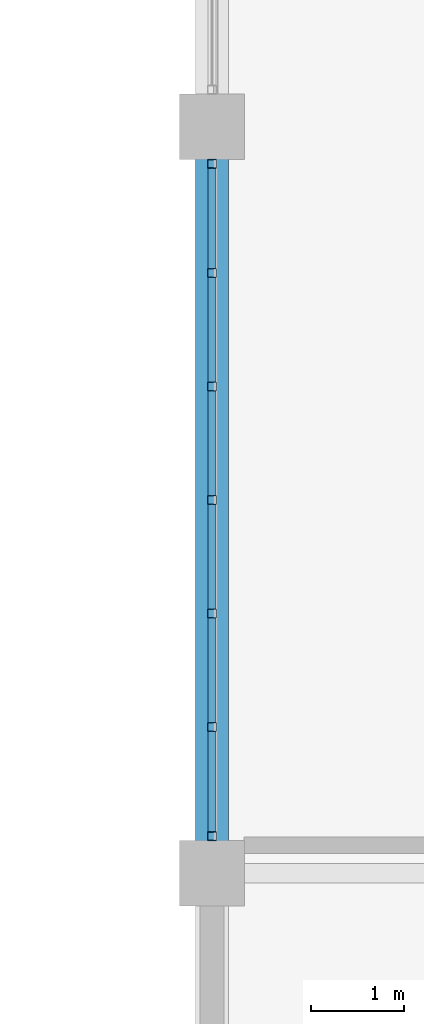
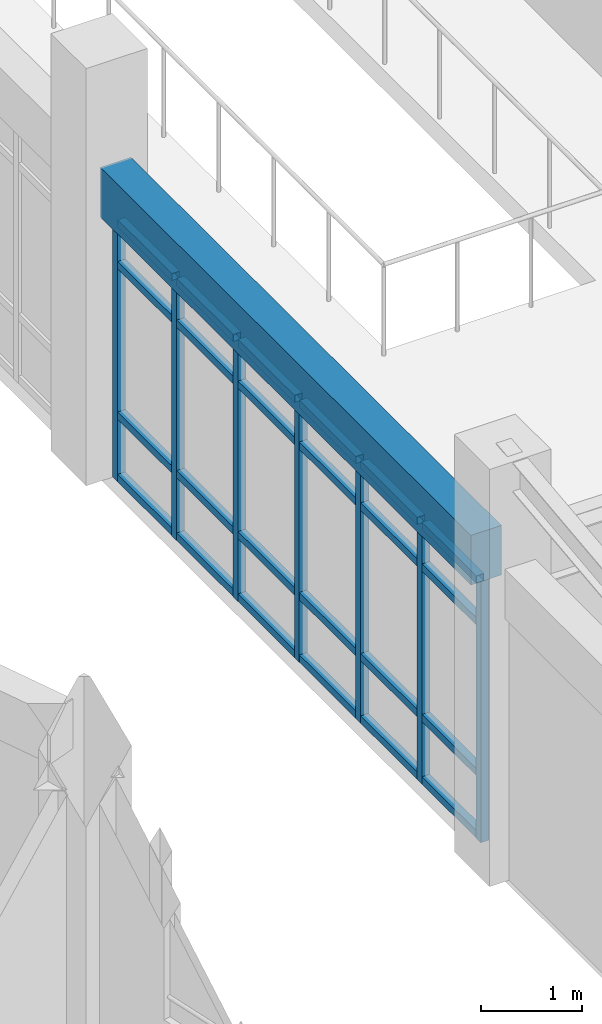
# One storey, part 91 of 159: 31 members, 1 beam, 1 element without a shape of its own.
"""IFC4 building model written with IfcOpenShell, lengths in metres."""

from ifc_helpers import new_model, si_unit, direction, frame, origin, origin_2d, place, context, subcontext, project, spatial, rectangle, hollow_rectangle, extrude, material, material_profile, profile_set, type_object, element, aggregate, save


model = new_model("IFC4")

# Units and contexts
model_context = context("Model", 3, precision=1e-05, world=origin(), true_north=direction((0.0, 1.0)))
body_context = subcontext(model_context, "Body", "Model", "MODEL_VIEW")
ifc_project = project(units=[si_unit("LENGTHUNIT", "METRE"), si_unit("AREAUNIT", "SQUARE_METRE"), si_unit("VOLUMEUNIT", "CUBIC_METRE"), si_unit("PLANEANGLEUNIT", "RADIAN"), si_unit("MASSUNIT", "GRAM", prefix="KILO")], contexts=[model_context])

# Site, building, storey
site_placement = place(None, origin())
site = spatial("IfcSite", under=ifc_project, at=site_placement, CompositionType="ELEMENT")
building_placement = place(site_placement, origin())
building = spatial("IfcBuilding", under=site, at=building_placement, Name="Celadon Cloister-Ring School", CompositionType="ELEMENT")
storey_placement = place(building_placement, frame((0.0, 0.0, 4.5)))
storey = spatial("IfcBuildingStorey", under=building, at=storey_placement, Name="L01", CompositionType="ELEMENT", Elevation=4.5)

# Beam
ifc_material_1 = material(Name="Concrete C35/45", Category="concrete")
ifc_material_profile_1 = material_profile(ifc_material_1, rectangle(XDim=0.35009765625, YDim=0.60009765625, at=origin_2d()), Name="RC350X600")
ifc_profile_set_1 = profile_set([ifc_material_profile_1], Name="Concrete C35/45")
beam_type = type_object("IfcBeamType", Name="BT-02", PredefinedType="BEAM", material=ifc_profile_set_1)
beam_placement = place(storey_placement, frame((142.0, 74.324951171875, 3.47998046875), z_axis=(0.0, 1.0, 0.0), x_axis=(-1.0, 0.0, 0.0)))
element("IfcBeam", 1, at=beam_placement, inside=storey, type_object=beam_type, Name="Beam 1169", PredefinedType="BEAM", context=body_context, shape_type="SweptSolid", body=[
    extrude(rectangle(XDim=0.35009765625, YDim=0.60009765625, at=origin_2d()), origin(), (0.0, 0.0, 1.0), 7.35009765625),
])

# Curtain wall, members
ifc_material_2 = material(Name="Aluminium EN AW-6063 T6", Category="aluminium")
curtain_wall_type = type_object("IfcCurtainWallType", Name="CW-09", PredefinedType="USERDEFINED", material=ifc_material_2)
curtain_wall_placement = place(storey_placement, origin())
curtain_wall = element("IfcCurtainWall", 2, at=curtain_wall_placement, inside=storey, type_object=curtain_wall_type, Name="Curtain Wall 0184", ObjectType="CURTAIN WALL", PredefinedType="USERDEFINED")
ifc_material_3 = material(Name="Aluminium EN AW-6063 T6", Category="aluminium")
ifc_material_profile_2 = material_profile(ifc_material_3, hollow_rectangle(XDim=0.094970703125, YDim=0.094970703125, WallThickness=0.00390625, at=origin_2d()), Name="RHS95X95X4")
ifc_profile_set_2 = profile_set([ifc_material_profile_2], Name="Aluminium EN AW-6063 T6")
member_type_1 = type_object("IfcMemberType", Name="CM-02", PredefinedType="MULLION", material=ifc_profile_set_2)
member_1_placement = place(storey_placement, frame((142.0, 74.3974609375, 0.0), z_axis=(0.0, 0.0, 1.0), x_axis=(-1.0, 0.0, 0.0)))
member_1 = element("IfcMember", 3, at=member_1_placement, type_object=member_type_1, Name="CW-09 mullion 1", PredefinedType="MULLION", context=body_context, shape_type="SweptSolid", body=[
    extrude(hollow_rectangle(XDim=0.094970703125, YDim=0.094970703125, WallThickness=0.00390625, at=origin_2d()), origin(), (0.0, 0.0, 1.0), 3.172119140625),
])
member_2_placement = place(storey_placement, frame((142.0, 75.566650390625, 0.0), z_axis=(0.0, 0.0, 1.0), x_axis=(-1.0, 0.0, 0.0)))
member_2 = element("IfcMember", 4, at=member_2_placement, type_object=member_type_1, Name="CW-09 mullion 2", PredefinedType="MULLION", context=body_context, shape_type="SweptSolid", body=[
    extrude(hollow_rectangle(XDim=0.094970703125, YDim=0.094970703125, WallThickness=0.00390625, at=origin_2d()), origin(), (0.0, 0.0, 1.0), 3.172119140625),
])
member_3_placement = place(storey_placement, frame((142.0, 76.783447265625, 0.0), z_axis=(0.0, 0.0, 1.0), x_axis=(-1.0, 0.0, 0.0)))
member_3 = element("IfcMember", 5, at=member_3_placement, type_object=member_type_1, Name="CW-09 mullion 3", PredefinedType="MULLION", context=body_context, shape_type="SweptSolid", body=[
    extrude(hollow_rectangle(XDim=0.094970703125, YDim=0.094970703125, WallThickness=0.00390625, at=origin_2d()), origin(), (0.0, 0.0, 1.0), 3.172119140625),
])
member_4_placement = place(storey_placement, frame((142.0, 78.0, 0.0), z_axis=(0.0, 0.0, 1.0), x_axis=(-1.0, 0.0, 0.0)))
member_4 = element("IfcMember", 6, at=member_4_placement, type_object=member_type_1, Name="CW-09 mullion 4", PredefinedType="MULLION", context=body_context, shape_type="SweptSolid", body=[
    extrude(hollow_rectangle(XDim=0.094970703125, YDim=0.094970703125, WallThickness=0.00390625, at=origin_2d()), origin(), (0.0, 0.0, 1.0), 3.172119140625),
])
member_5_placement = place(storey_placement, frame((142.0, 79.216552734375, 0.0), z_axis=(0.0, 0.0, 1.0), x_axis=(-1.0, 0.0, 0.0)))
member_5 = element("IfcMember", 7, at=member_5_placement, type_object=member_type_1, Name="CW-09 mullion 5", PredefinedType="MULLION", context=body_context, shape_type="SweptSolid", body=[
    extrude(hollow_rectangle(XDim=0.094970703125, YDim=0.094970703125, WallThickness=0.00390625, at=origin_2d()), origin(), (0.0, 0.0, 1.0), 3.172119140625),
])
member_6_placement = place(storey_placement, frame((142.0, 80.433349609375, 0.0), z_axis=(0.0, 0.0, 1.0), x_axis=(-1.0, 0.0, 0.0)))
member_6 = element("IfcMember", 8, at=member_6_placement, type_object=member_type_1, Name="CW-09 mullion 6", PredefinedType="MULLION", context=body_context, shape_type="SweptSolid", body=[
    extrude(hollow_rectangle(XDim=0.094970703125, YDim=0.094970703125, WallThickness=0.00390625, at=origin_2d()), origin(), (0.0, 0.0, 1.0), 3.172119140625),
])
member_7_placement = place(storey_placement, frame((142.0, 81.6025390625, 0.0), z_axis=(0.0, 0.0, 1.0), x_axis=(-1.0, 0.0, 0.0)))
member_7 = element("IfcMember", 9, at=member_7_placement, type_object=member_type_1, Name="CW-09 mullion 7", PredefinedType="MULLION", context=body_context, shape_type="SweptSolid", body=[
    extrude(hollow_rectangle(XDim=0.094970703125, YDim=0.094970703125, WallThickness=0.00390625, at=origin_2d()), origin(), (0.0, 0.0, 1.0), 3.172119140625),
])
ifc_material_4 = material(Name="Aluminium EN AW-6063 T6", Category="aluminium")
ifc_material_profile_3 = material_profile(ifc_material_4, hollow_rectangle(XDim=0.090087890625, YDim=0.090087890625, WallThickness=0.00390625, at=origin_2d()), Name="RHS90X90X4")
ifc_profile_set_3 = profile_set([ifc_material_profile_3], Name="Aluminium EN AW-6063 T6")
member_type_2 = type_object("IfcMemberType", Name="CTM-02", PredefinedType="USERDEFINED", material=ifc_profile_set_3)
member_8_placement = place(storey_placement, frame((142.0, 74.445068359375, 0.044921875), z_axis=(0.0, 1.0, 0.0), x_axis=(-1.0, 0.0, 0.0)))
member_8 = element("IfcMember", 10, at=member_8_placement, type_object=member_type_2, Name="CW-09 transom 1.1", ObjectType="TRANSOM", PredefinedType="USERDEFINED", context=body_context, shape_type="SweptSolid", body=[
    extrude(hollow_rectangle(XDim=0.090087890625, YDim=0.090087890625, WallThickness=0.00390625, at=origin_2d()), origin(), (0.0, 0.0, 1.0), 1.07421875),
])
member_9_placement = place(storey_placement, frame((142.0, 74.445068359375, 0.800048828125), z_axis=(0.0, 1.0, 0.0), x_axis=(-1.0, 0.0, 0.0)))
member_9 = element("IfcMember", 11, at=member_9_placement, type_object=member_type_2, Name="CW-09 transom 1.2", ObjectType="TRANSOM", PredefinedType="USERDEFINED", context=body_context, shape_type="SweptSolid", body=[
    extrude(hollow_rectangle(XDim=0.090087890625, YDim=0.090087890625, WallThickness=0.00390625, at=origin_2d()), origin(), (0.0, 0.0, 1.0), 1.07421875),
])
member_10_placement = place(storey_placement, frame((142.0, 74.445068359375, 2.6220703125), z_axis=(0.0, 1.0, 0.0), x_axis=(-1.0, 0.0, 0.0)))
member_10 = element("IfcMember", 12, at=member_10_placement, type_object=member_type_2, Name="CW-09 transom 1.3", ObjectType="TRANSOM", PredefinedType="USERDEFINED", context=body_context, shape_type="SweptSolid", body=[
    extrude(hollow_rectangle(XDim=0.090087890625, YDim=0.090087890625, WallThickness=0.00390625, at=origin_2d()), origin(), (0.0, 0.0, 1.0), 1.07421875),
])
member_11_placement = place(storey_placement, frame((142.0, 74.445068359375, 3.126953125), z_axis=(0.0, 1.0, 0.0), x_axis=(-1.0, 0.0, 0.0)))
member_11 = element("IfcMember", 13, at=member_11_placement, type_object=member_type_2, Name="CW-09 transom 1.4", ObjectType="TRANSOM", PredefinedType="USERDEFINED", context=body_context, shape_type="SweptSolid", body=[
    extrude(hollow_rectangle(XDim=0.090087890625, YDim=0.090087890625, WallThickness=0.00390625, at=origin_2d()), origin(), (0.0, 0.0, 1.0), 1.07421875),
])
member_12_placement = place(storey_placement, frame((142.0, 75.6142578125, 0.044921875), z_axis=(0.0, 1.0, 0.0), x_axis=(-1.0, 0.0, 0.0)))
member_12 = element("IfcMember", 14, at=member_12_placement, type_object=member_type_2, Name="CW-09 transom 2.1", ObjectType="TRANSOM", PredefinedType="USERDEFINED", context=body_context, shape_type="SweptSolid", body=[
    extrude(hollow_rectangle(XDim=0.090087890625, YDim=0.090087890625, WallThickness=0.00390625, at=origin_2d()), origin(), (0.0, 0.0, 1.0), 1.12158203125),
])
member_13_placement = place(storey_placement, frame((142.0, 75.6142578125, 0.800048828125), z_axis=(0.0, 1.0, 0.0), x_axis=(-1.0, 0.0, 0.0)))
member_13 = element("IfcMember", 15, at=member_13_placement, type_object=member_type_2, Name="CW-09 transom 2.2", ObjectType="TRANSOM", PredefinedType="USERDEFINED", context=body_context, shape_type="SweptSolid", body=[
    extrude(hollow_rectangle(XDim=0.090087890625, YDim=0.090087890625, WallThickness=0.00390625, at=origin_2d()), origin(), (0.0, 0.0, 1.0), 1.12158203125),
])
member_14_placement = place(storey_placement, frame((142.0, 75.6142578125, 2.6220703125), z_axis=(0.0, 1.0, 0.0), x_axis=(-1.0, 0.0, 0.0)))
member_14 = element("IfcMember", 16, at=member_14_placement, type_object=member_type_2, Name="CW-09 transom 2.3", ObjectType="TRANSOM", PredefinedType="USERDEFINED", context=body_context, shape_type="SweptSolid", body=[
    extrude(hollow_rectangle(XDim=0.090087890625, YDim=0.090087890625, WallThickness=0.00390625, at=origin_2d()), origin(), (0.0, 0.0, 1.0), 1.12158203125),
])
member_15_placement = place(storey_placement, frame((142.0, 75.6142578125, 3.126953125), z_axis=(0.0, 1.0, 0.0), x_axis=(-1.0, 0.0, 0.0)))
member_15 = element("IfcMember", 17, at=member_15_placement, type_object=member_type_2, Name="CW-09 transom 2.4", ObjectType="TRANSOM", PredefinedType="USERDEFINED", context=body_context, shape_type="SweptSolid", body=[
    extrude(hollow_rectangle(XDim=0.090087890625, YDim=0.090087890625, WallThickness=0.00390625, at=origin_2d()), origin(), (0.0, 0.0, 1.0), 1.12158203125),
])
member_16_placement = place(storey_placement, frame((142.0, 76.830810546875, 0.044921875), z_axis=(0.0, 1.0, 0.0), x_axis=(-1.0, 0.0, 0.0)))
member_16 = element("IfcMember", 18, at=member_16_placement, type_object=member_type_2, Name="CW-09 transom 3.1", ObjectType="TRANSOM", PredefinedType="USERDEFINED", context=body_context, shape_type="SweptSolid", body=[
    extrude(hollow_rectangle(XDim=0.090087890625, YDim=0.090087890625, WallThickness=0.00390625, at=origin_2d()), origin(), (0.0, 0.0, 1.0), 1.12158203125),
])
member_17_placement = place(storey_placement, frame((142.0, 76.830810546875, 0.800048828125), z_axis=(0.0, 1.0, 0.0), x_axis=(-1.0, 0.0, 0.0)))
member_17 = element("IfcMember", 19, at=member_17_placement, type_object=member_type_2, Name="CW-09 transom 3.2", ObjectType="TRANSOM", PredefinedType="USERDEFINED", context=body_context, shape_type="SweptSolid", body=[
    extrude(hollow_rectangle(XDim=0.090087890625, YDim=0.090087890625, WallThickness=0.00390625, at=origin_2d()), origin(), (0.0, 0.0, 1.0), 1.12158203125),
])
member_18_placement = place(storey_placement, frame((142.0, 76.830810546875, 2.6220703125), z_axis=(0.0, 1.0, 0.0), x_axis=(-1.0, 0.0, 0.0)))
member_18 = element("IfcMember", 20, at=member_18_placement, type_object=member_type_2, Name="CW-09 transom 3.3", ObjectType="TRANSOM", PredefinedType="USERDEFINED", context=body_context, shape_type="SweptSolid", body=[
    extrude(hollow_rectangle(XDim=0.090087890625, YDim=0.090087890625, WallThickness=0.00390625, at=origin_2d()), origin(), (0.0, 0.0, 1.0), 1.12158203125),
])
member_19_placement = place(storey_placement, frame((142.0, 76.830810546875, 3.126953125), z_axis=(0.0, 1.0, 0.0), x_axis=(-1.0, 0.0, 0.0)))
member_19 = element("IfcMember", 21, at=member_19_placement, type_object=member_type_2, Name="CW-09 transom 3.4", ObjectType="TRANSOM", PredefinedType="USERDEFINED", context=body_context, shape_type="SweptSolid", body=[
    extrude(hollow_rectangle(XDim=0.090087890625, YDim=0.090087890625, WallThickness=0.00390625, at=origin_2d()), origin(), (0.0, 0.0, 1.0), 1.12158203125),
])
member_20_placement = place(storey_placement, frame((142.0, 78.047607421875, 0.044921875), z_axis=(0.0, 1.0, 0.0), x_axis=(-1.0, 0.0, 0.0)))
member_20 = element("IfcMember", 22, at=member_20_placement, type_object=member_type_2, Name="CW-09 transom 4.1", ObjectType="TRANSOM", PredefinedType="USERDEFINED", context=body_context, shape_type="SweptSolid", body=[
    extrude(hollow_rectangle(XDim=0.090087890625, YDim=0.090087890625, WallThickness=0.00390625, at=origin_2d()), origin(), (0.0, 0.0, 1.0), 1.12158203125),
])
member_21_placement = place(storey_placement, frame((142.0, 78.047607421875, 0.800048828125), z_axis=(0.0, 1.0, 0.0), x_axis=(-1.0, 0.0, 0.0)))
member_21 = element("IfcMember", 23, at=member_21_placement, type_object=member_type_2, Name="CW-09 transom 4.2", ObjectType="TRANSOM", PredefinedType="USERDEFINED", context=body_context, shape_type="SweptSolid", body=[
    extrude(hollow_rectangle(XDim=0.090087890625, YDim=0.090087890625, WallThickness=0.00390625, at=origin_2d()), origin(), (0.0, 0.0, 1.0), 1.12158203125),
])
member_22_placement = place(storey_placement, frame((142.0, 78.047607421875, 2.6220703125), z_axis=(0.0, 1.0, 0.0), x_axis=(-1.0, 0.0, 0.0)))
member_22 = element("IfcMember", 24, at=member_22_placement, type_object=member_type_2, Name="CW-09 transom 4.3", ObjectType="TRANSOM", PredefinedType="USERDEFINED", context=body_context, shape_type="SweptSolid", body=[
    extrude(hollow_rectangle(XDim=0.090087890625, YDim=0.090087890625, WallThickness=0.00390625, at=origin_2d()), origin(), (0.0, 0.0, 1.0), 1.12158203125),
])
member_23_placement = place(storey_placement, frame((142.0, 78.047607421875, 3.126953125), z_axis=(0.0, 1.0, 0.0), x_axis=(-1.0, 0.0, 0.0)))
member_23 = element("IfcMember", 25, at=member_23_placement, type_object=member_type_2, Name="CW-09 transom 4.4", ObjectType="TRANSOM", PredefinedType="USERDEFINED", context=body_context, shape_type="SweptSolid", body=[
    extrude(hollow_rectangle(XDim=0.090087890625, YDim=0.090087890625, WallThickness=0.00390625, at=origin_2d()), origin(), (0.0, 0.0, 1.0), 1.12158203125),
])
member_24_placement = place(storey_placement, frame((142.0, 79.26416015625, 0.044921875), z_axis=(0.0, 1.0, 0.0), x_axis=(-1.0, 0.0, 0.0)))
member_24 = element("IfcMember", 26, at=member_24_placement, type_object=member_type_2, Name="CW-09 transom 5.1", ObjectType="TRANSOM", PredefinedType="USERDEFINED", context=body_context, shape_type="SweptSolid", body=[
    extrude(hollow_rectangle(XDim=0.090087890625, YDim=0.090087890625, WallThickness=0.00390625, at=origin_2d()), origin(), (0.0, 0.0, 1.0), 1.12158203125),
])
member_25_placement = place(storey_placement, frame((142.0, 79.26416015625, 0.800048828125), z_axis=(0.0, 1.0, 0.0), x_axis=(-1.0, 0.0, 0.0)))
member_25 = element("IfcMember", 27, at=member_25_placement, type_object=member_type_2, Name="CW-09 transom 5.2", ObjectType="TRANSOM", PredefinedType="USERDEFINED", context=body_context, shape_type="SweptSolid", body=[
    extrude(hollow_rectangle(XDim=0.090087890625, YDim=0.090087890625, WallThickness=0.00390625, at=origin_2d()), origin(), (0.0, 0.0, 1.0), 1.12158203125),
])
member_26_placement = place(storey_placement, frame((142.0, 79.26416015625, 2.6220703125), z_axis=(0.0, 1.0, 0.0), x_axis=(-1.0, 0.0, 0.0)))
member_26 = element("IfcMember", 28, at=member_26_placement, type_object=member_type_2, Name="CW-09 transom 5.3", ObjectType="TRANSOM", PredefinedType="USERDEFINED", context=body_context, shape_type="SweptSolid", body=[
    extrude(hollow_rectangle(XDim=0.090087890625, YDim=0.090087890625, WallThickness=0.00390625, at=origin_2d()), origin(), (0.0, 0.0, 1.0), 1.12158203125),
])
member_27_placement = place(storey_placement, frame((142.0, 79.26416015625, 3.126953125), z_axis=(0.0, 1.0, 0.0), x_axis=(-1.0, 0.0, 0.0)))
member_27 = element("IfcMember", 29, at=member_27_placement, type_object=member_type_2, Name="CW-09 transom 5.4", ObjectType="TRANSOM", PredefinedType="USERDEFINED", context=body_context, shape_type="SweptSolid", body=[
    extrude(hollow_rectangle(XDim=0.090087890625, YDim=0.090087890625, WallThickness=0.00390625, at=origin_2d()), origin(), (0.0, 0.0, 1.0), 1.12158203125),
])
member_28_placement = place(storey_placement, frame((142.0, 80.480712890625, 0.044921875), z_axis=(0.0, 1.0, 0.0), x_axis=(-1.0, 0.0, 0.0)))
member_28 = element("IfcMember", 30, at=member_28_placement, type_object=member_type_2, Name="CW-09 transom 6.1", ObjectType="TRANSOM", PredefinedType="USERDEFINED", context=body_context, shape_type="SweptSolid", body=[
    extrude(hollow_rectangle(XDim=0.090087890625, YDim=0.090087890625, WallThickness=0.00390625, at=origin_2d()), origin(), (0.0, 0.0, 1.0), 1.07421875),
])
member_29_placement = place(storey_placement, frame((142.0, 80.480712890625, 0.800048828125), z_axis=(0.0, 1.0, 0.0), x_axis=(-1.0, 0.0, 0.0)))
member_29 = element("IfcMember", 31, at=member_29_placement, type_object=member_type_2, Name="CW-09 transom 6.2", ObjectType="TRANSOM", PredefinedType="USERDEFINED", context=body_context, shape_type="SweptSolid", body=[
    extrude(hollow_rectangle(XDim=0.090087890625, YDim=0.090087890625, WallThickness=0.00390625, at=origin_2d()), origin(), (0.0, 0.0, 1.0), 1.07421875),
])
member_30_placement = place(storey_placement, frame((142.0, 80.480712890625, 2.6220703125), z_axis=(0.0, 1.0, 0.0), x_axis=(-1.0, 0.0, 0.0)))
member_30 = element("IfcMember", 32, at=member_30_placement, type_object=member_type_2, Name="CW-09 transom 6.3", ObjectType="TRANSOM", PredefinedType="USERDEFINED", context=body_context, shape_type="SweptSolid", body=[
    extrude(hollow_rectangle(XDim=0.090087890625, YDim=0.090087890625, WallThickness=0.00390625, at=origin_2d()), origin(), (0.0, 0.0, 1.0), 1.07421875),
])
member_31_placement = place(storey_placement, frame((142.0, 80.480712890625, 3.126953125), z_axis=(0.0, 1.0, 0.0), x_axis=(-1.0, 0.0, 0.0)))
member_31 = element("IfcMember", 33, at=member_31_placement, type_object=member_type_2, Name="CW-09 transom 6.4", ObjectType="TRANSOM", PredefinedType="USERDEFINED", context=body_context, shape_type="SweptSolid", body=[
    extrude(hollow_rectangle(XDim=0.090087890625, YDim=0.090087890625, WallThickness=0.00390625, at=origin_2d()), origin(), (0.0, 0.0, 1.0), 1.07421875),
])
aggregate(curtain_wall, [member_1, member_2, member_3, member_4, member_5, member_6, member_7, member_8, member_9, member_10, member_11, member_12, member_13, member_14, member_15, member_16, member_17, member_18, member_19, member_20, member_21, member_22, member_23, member_24, member_25, member_26, member_27, member_28, member_29, member_30, member_31])

save(model, "model.ifc")
